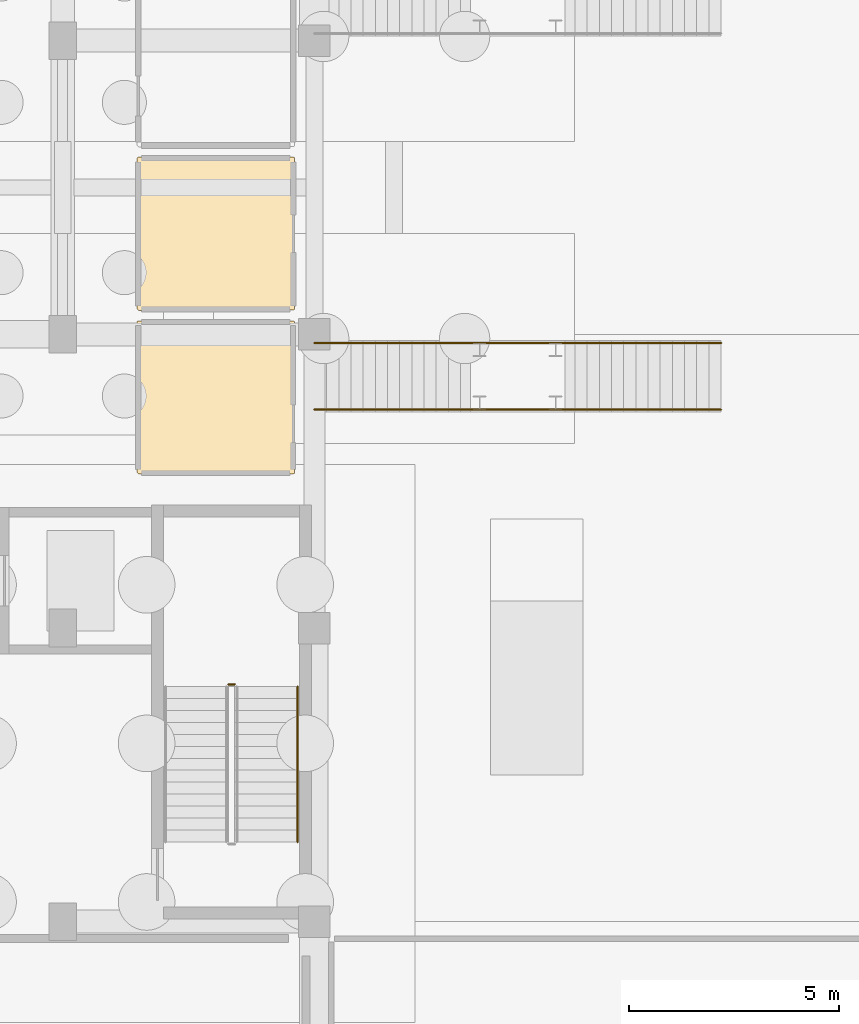
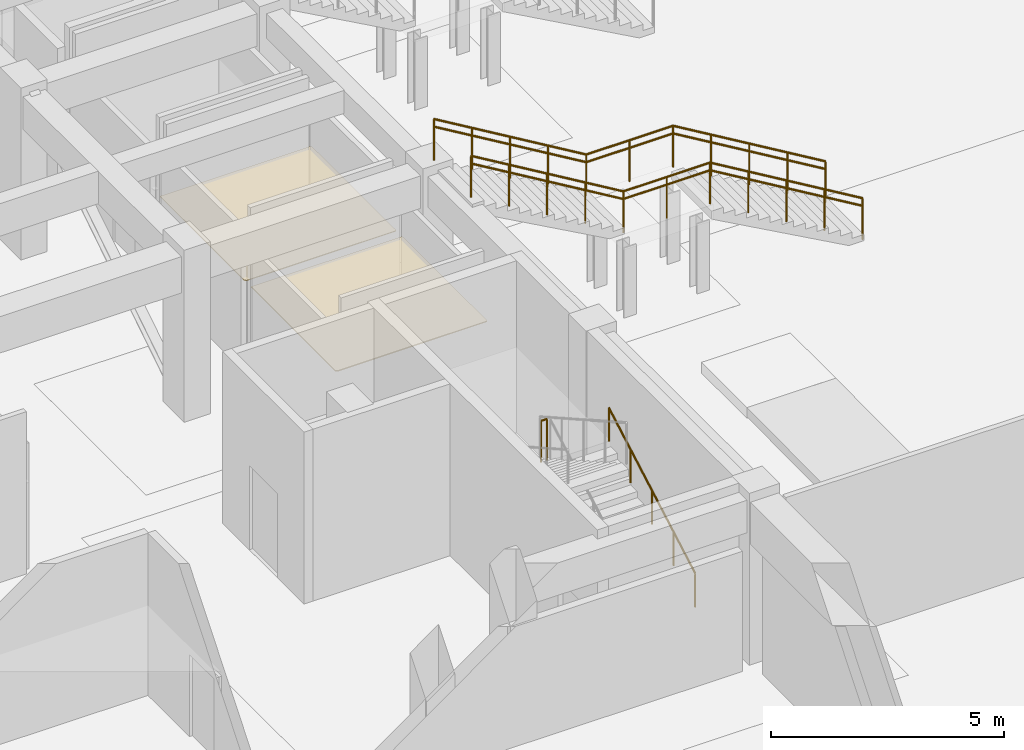
# One storey, part 80 of 84: 6 railings, 2 coverings.
"""IFC4 building model written with IfcOpenShell, lengths in metres."""

from ifc_helpers import new_model, si_unit, direction, frame, origin, origin_2d, place, context, subcontext, project, spatial, polyline, circle, outline, extrude, material, layer, layer_set, type_object, element, save


model = new_model("IFC4")

# Units and contexts
model_context = context("Model", 3, precision=1e-05, world=origin(), true_north=direction((0.0, 1.0)))
body_context = subcontext(model_context, "Body", "Model", "MODEL_VIEW")
ifc_project = project(units=[si_unit("LENGTHUNIT", "METRE"), si_unit("AREAUNIT", "SQUARE_METRE"), si_unit("VOLUMEUNIT", "CUBIC_METRE"), si_unit("PLANEANGLEUNIT", "RADIAN"), si_unit("MASSUNIT", "GRAM", prefix="KILO")], contexts=[model_context])

# Site, building, storey
site_placement = place(None, origin())
site = spatial("IfcSite", under=ifc_project, at=site_placement, CompositionType="ELEMENT")
building_placement = place(site_placement, origin())
building = spatial("IfcBuilding", under=site, at=building_placement, Name="Larkveld Mobility Hub", CompositionType="ELEMENT")
storey_placement = place(building_placement, origin())
storey = spatial("IfcBuildingStorey", under=building, at=storey_placement, Name="L00", CompositionType="ELEMENT", Elevation=0.0)

# Coverings
ifc_material_1 = material(Name="Perforated mineral-fibre acoustic ceiling", Category="masonry")
ifc_layer_1 = layer(ifc_material_1, 0.02001953125, Name="Perforated mineral-fibre acoustic ceiling", Category="masonry")
ifc_layer_set_1 = layer_set([ifc_layer_1], Name="Perforated mineral-fibre acoustic ceiling")
covering_type_1 = type_object("IfcCoveringType", Name="CV-CLG-020", PredefinedType="CEILING", material=ifc_layer_set_1)
covering_1_placement = place(storey_placement, frame((0.0, 0.0, 2.330078125)))
element("IfcCovering", 1, at=covering_1_placement, inside=storey, type_object=covering_type_1, Name="Female Public Toilet Acoustic Ceiling 002", PredefinedType="CEILING", context=body_context, shape_type="SweptSolid", body=[
    extrude(outline(polyline([(147.820068359375, 42.570068359375), (147.81689453125, 42.570068359375), (147.81396484375, 42.571044921875), (147.81103515625, 42.571044921875), (147.80908203125, 42.572021484375), (147.805908203125, 42.573974609375), (147.802978515625, 42.574951171875), (147.801025390625, 42.576904296875), (147.799072265625, 42.5791015625), (147.779052734375, 42.59912109375), (147.777099609375, 42.60107421875), (147.77490234375, 42.60302734375), (147.77392578125, 42.60595703125), (147.77197265625, 42.60888671875), (147.77099609375, 42.611083984375), (147.77099609375, 42.614013671875), (147.77001953125, 42.616943359375), (147.77001953125, 42.6201171875), (147.77587890625, 46.194091796875), (147.77587890625, 46.197021484375), (147.77587890625, 46.199951171875), (147.777099609375, 46.202880859375), (147.778076171875, 46.2060546875), (147.779052734375, 46.2080078125), (147.781005859375, 46.2109375), (147.782958984375, 46.212890625), (147.784912109375, 46.215087890625), (147.787109375, 46.217041015625), (147.7890625, 46.218994140625), (147.7919921875, 46.220947265625), (147.7939453125, 46.221923828125), (147.797119140625, 46.222900390625), (147.800048828125, 46.22412109375), (147.802978515625, 46.22412109375), (147.805908203125, 46.22412109375), (151.493896484375, 46.22412109375), (151.4970703125, 46.22412109375), (151.5, 46.22412109375), (151.5029296875, 46.222900390625), (151.506103515625, 46.221923828125), (151.508056640625, 46.220947265625), (151.510986328125, 46.218994140625), (151.512939453125, 46.217041015625), (151.514892578125, 46.215087890625), (151.51708984375, 46.212890625), (151.51904296875, 46.2109375), (151.52099609375, 46.2080078125), (151.52197265625, 46.2060546875), (151.52294921875, 46.202880859375), (151.52392578125, 46.199951171875), (151.52392578125, 46.197021484375), (151.52392578125, 46.194091796875), (151.52392578125, 42.60595703125), (151.52392578125, 42.60302734375), (151.52392578125, 42.60009765625), (151.52294921875, 42.596923828125), (151.52197265625, 42.593994140625), (151.52099609375, 42.592041015625), (151.51904296875, 42.589111328125), (151.51708984375, 42.5869140625), (151.514892578125, 42.5849609375), (151.512939453125, 42.5830078125), (151.510986328125, 42.5810546875), (151.508056640625, 42.5791015625), (151.506103515625, 42.577880859375), (151.5029296875, 42.576904296875), (151.5, 42.575927734375), (151.4970703125, 42.575927734375), (151.493896484375, 42.575927734375), (147.820068359375, 42.570068359375)])), origin(), (0.0, 0.0, 1.0), 0.02001953125),
])
ifc_material_2 = material(Name="Moisture-resistant gypsum board ceiling", Category="masonry")
ifc_layer_2 = layer(ifc_material_2, 0.02490234375, Name="Moisture-resistant gypsum board ceiling", Category="masonry")
ifc_layer_set_2 = layer_set([ifc_layer_2], Name="Moisture-resistant gypsum board ceiling")
covering_type_2 = type_object("IfcCoveringType", Name="CV-CLG-025", PredefinedType="CEILING", material=ifc_layer_set_2)
covering_2_placement = place(storey_placement, frame((0.0, 0.0, 2.324951171875)))
element("IfcCovering", 2, at=covering_2_placement, inside=storey, type_object=covering_type_2, Name="Male Public Toilet Acoustic Ceiling 001", PredefinedType="CEILING", context=body_context, shape_type="SweptSolid", body=[
    extrude(outline(polyline([(147.820068359375, 38.669921875), (147.81689453125, 38.669921875), (147.81396484375, 38.6708984375), (147.81103515625, 38.6708984375), (147.80908203125, 38.672119140625), (147.805908203125, 38.674072265625), (147.802978515625, 38.675048828125), (147.801025390625, 38.677001953125), (147.799072265625, 38.678955078125), (147.779052734375, 38.698974609375), (147.777099609375, 38.700927734375), (147.77490234375, 38.702880859375), (147.77392578125, 38.7060546875), (147.77197265625, 38.708984375), (147.77099609375, 38.7109375), (147.77099609375, 38.714111328125), (147.77001953125, 38.717041015625), (147.77001953125, 38.719970703125), (147.77587890625, 42.2939453125), (147.77587890625, 42.297119140625), (147.77587890625, 42.300048828125), (147.777099609375, 42.302978515625), (147.778076171875, 42.305908203125), (147.779052734375, 42.30810546875), (147.781005859375, 42.31103515625), (147.782958984375, 42.31298828125), (147.784912109375, 42.31494140625), (147.787109375, 42.31689453125), (147.7890625, 42.319091796875), (147.7919921875, 42.321044921875), (147.7939453125, 42.322021484375), (147.797119140625, 42.322998046875), (147.800048828125, 42.323974609375), (147.802978515625, 42.323974609375), (147.805908203125, 42.323974609375), (151.493896484375, 42.323974609375), (151.4970703125, 42.323974609375), (151.5, 42.323974609375), (151.5029296875, 42.322998046875), (151.506103515625, 42.322021484375), (151.508056640625, 42.321044921875), (151.510986328125, 42.319091796875), (151.512939453125, 42.31689453125), (151.514892578125, 42.31494140625), (151.51708984375, 42.31298828125), (151.51904296875, 42.31103515625), (151.52099609375, 42.30810546875), (151.52197265625, 42.305908203125), (151.52294921875, 42.302978515625), (151.52392578125, 42.300048828125), (151.52392578125, 42.297119140625), (151.52392578125, 42.2939453125), (151.52392578125, 38.7060546875), (151.52392578125, 38.702880859375), (151.52392578125, 38.699951171875), (151.52294921875, 38.697021484375), (151.52197265625, 38.694091796875), (151.52099609375, 38.69189453125), (151.51904296875, 38.68896484375), (151.51708984375, 38.68701171875), (151.514892578125, 38.68505859375), (151.512939453125, 38.68310546875), (151.510986328125, 38.680908203125), (151.508056640625, 38.678955078125), (151.506103515625, 38.677978515625), (151.5029296875, 38.677001953125), (151.5, 38.676025390625), (151.4970703125, 38.676025390625), (151.493896484375, 38.676025390625), (147.820068359375, 38.669921875)])), origin(), (0.0, 0.0, 1.0), 0.025146484375),
])

# Railings
ifc_material_3 = material(Name="Galvanized Steel S355JR balustrade", Category="steel")
railing_type_1 = type_object("IfcRailingType", Name="RL-GRD-1100", PredefinedType="GUARDRAIL", material=ifc_material_3)
railing_1_placement = place(storey_placement, frame((150.10009765625, 33.655029296875, 2.25)))
element("IfcRailing", 3, at=railing_1_placement, inside=storey, type_object=railing_type_1, Name="L00 ST1 stair guard 2", PredefinedType="GUARDRAIL", context=body_context, shape_type="SweptSolid", body=[
    extrude(circle(Radius=0.02392578125, at=origin_2d()), frame((0.0, 0.0, 1.076171875), z_axis=(-1.0, 0.0, 0.0), x_axis=(0.0, -1.0, 0.0)), (0.0, 0.0, 1.0), 0.150146484375),
    extrude(circle(Radius=0.02099609375, at=origin_2d()), origin(), (0.0, 0.0, 1.0), 1.052001953125),
    extrude(circle(Radius=0.02099609375, at=origin_2d()), frame((-0.150146484375, 0.0, 0.0)), (0.0, 0.0, 1.0), 1.052001953125),
])
railing_2_placement = place(storey_placement, frame((161.68994140625, 41.794921875, 0.0)))
element("IfcRailing", 4, at=railing_2_placement, inside=storey, type_object=railing_type_1, Name="South Concourse Mezzanine Straight Stair FS1 Guard L", PredefinedType="GUARDRAIL", context=body_context, shape_type="SweptSolid", body=[
    extrude(circle(Radius=0.02392578125, at=origin_2d()), frame((0.0, 0.0, 1.076171875), z_axis=(-0.858697585051, 0.0, 0.512482641098), x_axis=(0.0, -1.0, 0.0)), (0.0, 0.0, 1.0), 4.390380859375),
    extrude(circle(Radius=0.02392578125, at=origin_2d()), frame((-3.77001953125, 0.0, 3.326171875), z_axis=(-1.0, 0.0, 0.0), x_axis=(0.0, -1.0, 0.0)), (0.0, 0.0, 1.0), 2.14990234375),
    extrude(circle(Radius=0.02392578125, at=origin_2d()), frame((-5.919921875, 0.0, 3.326171875), z_axis=(-0.858697585051, 0.0, 0.512482641098), x_axis=(0.0, -1.0, 0.0)), (0.0, 0.0, 1.0), 4.390380859375),
    extrude(circle(Radius=0.02099609375, at=origin_2d()), origin(), (0.0, 0.0, 1.0), 1.052001953125),
    extrude(circle(Radius=0.02099609375, at=origin_2d()), frame((-0.9423828125, 0.0, 0.5625)), (0.0, 0.0, 1.0), 1.052001953125),
    extrude(circle(Radius=0.02099609375, at=origin_2d()), frame((-1.885009765625, 0.0, 1.125)), (0.0, 0.0, 1.0), 1.052001953125),
    extrude(circle(Radius=0.02099609375, at=origin_2d()), frame((-2.82763671875, 0.0, 1.6875)), (0.0, 0.0, 1.0), 1.052001953125),
    extrude(circle(Radius=0.02099609375, at=origin_2d()), frame((-3.77001953125, 0.0, 2.25)), (0.0, 0.0, 1.0), 1.052001953125),
    extrude(circle(Radius=0.02099609375, at=origin_2d()), frame((-4.844970703125, 0.0, 2.25)), (0.0, 0.0, 1.0), 1.052001953125),
    extrude(circle(Radius=0.02099609375, at=origin_2d()), frame((-5.919921875, 0.0, 2.25)), (0.0, 0.0, 1.0), 1.052001953125),
    extrude(circle(Radius=0.02099609375, at=origin_2d()), frame((-6.8623046875, 0.0, 2.8125)), (0.0, 0.0, 1.0), 1.052001953125),
    extrude(circle(Radius=0.02099609375, at=origin_2d()), frame((-7.804931640625, 0.0, 3.375)), (0.0, 0.0, 1.0), 1.052001953125),
    extrude(circle(Radius=0.02099609375, at=origin_2d()), frame((-8.74755859375, 0.0, 3.9375)), (0.0, 0.0, 1.0), 1.052001953125),
    extrude(circle(Radius=0.02099609375, at=origin_2d()), frame((-9.68994140625, 0.0, 4.5)), (0.0, 0.0, 1.0), 1.052001953125),
])
railing_3_placement = place(storey_placement, frame((161.68994140625, 40.205078125, 0.0)))
element("IfcRailing", 5, at=railing_3_placement, inside=storey, type_object=railing_type_1, Name="South Concourse Mezzanine Straight Stair FS1 Guard R", PredefinedType="GUARDRAIL", context=body_context, shape_type="SweptSolid", body=[
    extrude(circle(Radius=0.02392578125, at=origin_2d()), frame((0.0, 0.0, 1.076171875), z_axis=(-0.858697585051, 0.0, 0.512482641098), x_axis=(0.0, -1.0, 0.0)), (0.0, 0.0, 1.0), 4.390380859375),
    extrude(circle(Radius=0.02392578125, at=origin_2d()), frame((-3.77001953125, 0.0, 3.326171875), z_axis=(-1.0, 0.0, 0.0), x_axis=(0.0, -1.0, 0.0)), (0.0, 0.0, 1.0), 2.14990234375),
    extrude(circle(Radius=0.02392578125, at=origin_2d()), frame((-5.919921875, 0.0, 3.326171875), z_axis=(-0.858697585051, 0.0, 0.512482641098), x_axis=(0.0, -1.0, 0.0)), (0.0, 0.0, 1.0), 4.390380859375),
    extrude(circle(Radius=0.02099609375, at=origin_2d()), origin(), (0.0, 0.0, 1.0), 1.052001953125),
    extrude(circle(Radius=0.02099609375, at=origin_2d()), frame((-0.9423828125, 0.0, 0.5625)), (0.0, 0.0, 1.0), 1.052001953125),
    extrude(circle(Radius=0.02099609375, at=origin_2d()), frame((-1.885009765625, 0.0, 1.125)), (0.0, 0.0, 1.0), 1.052001953125),
    extrude(circle(Radius=0.02099609375, at=origin_2d()), frame((-2.82763671875, 0.0, 1.6875)), (0.0, 0.0, 1.0), 1.052001953125),
    extrude(circle(Radius=0.02099609375, at=origin_2d()), frame((-3.77001953125, 0.0, 2.25)), (0.0, 0.0, 1.0), 1.052001953125),
    extrude(circle(Radius=0.02099609375, at=origin_2d()), frame((-4.844970703125, 0.0, 2.25)), (0.0, 0.0, 1.0), 1.052001953125),
    extrude(circle(Radius=0.02099609375, at=origin_2d()), frame((-5.919921875, 0.0, 2.25)), (0.0, 0.0, 1.0), 1.052001953125),
    extrude(circle(Radius=0.02099609375, at=origin_2d()), frame((-6.8623046875, 0.0, 2.8125)), (0.0, 0.0, 1.0), 1.052001953125),
    extrude(circle(Radius=0.02099609375, at=origin_2d()), frame((-7.804931640625, 0.0, 3.375)), (0.0, 0.0, 1.0), 1.052001953125),
    extrude(circle(Radius=0.02099609375, at=origin_2d()), frame((-8.74755859375, 0.0, 3.9375)), (0.0, 0.0, 1.0), 1.052001953125),
    extrude(circle(Radius=0.02099609375, at=origin_2d()), frame((-9.68994140625, 0.0, 4.5)), (0.0, 0.0, 1.0), 1.052001953125),
])
ifc_material_4 = material(Name="Brushed Steel S355JR tubular handrail", Category="steel")
railing_type_2 = type_object("IfcRailingType", Name="RL-HND-0900", PredefinedType="HANDRAIL", material=ifc_material_4)
railing_4_placement = place(storey_placement, frame((151.60009765625, 29.89990234375, 0.16064453125)))
element("IfcRailing", 6, at=railing_4_placement, inside=storey, type_object=railing_type_2, Name="L00 ST1 stair handrail 1", PredefinedType="HANDRAIL", context=body_context, shape_type="SweptSolid", body=[
    extrude(circle(Radius=0.02392578125, at=origin_2d()), frame((0.0, 0.0, 0.8759765625), z_axis=(0.0, 0.871047735535, 0.491198373795), x_axis=(-1.0, 0.0, 0.0)), (0.0, 0.0, 1.0), 4.253662109375),
    extrude(circle(Radius=0.02099609375, at=origin_2d()), origin(), (0.0, 0.0, 1.0), 0.851806640625),
    extrude(circle(Radius=0.02099609375, at=origin_2d()), frame((0.0, 0.92626953125, 0.5224609375)), (0.0, 0.0, 1.0), 0.851806640625),
    extrude(circle(Radius=0.02099609375, at=origin_2d()), frame((0.0, 1.8525390625, 1.044677734375)), (0.0, 0.0, 1.0), 0.851806640625),
    extrude(circle(Radius=0.02099609375, at=origin_2d()), frame((0.0, 2.77880859375, 1.56689453125)), (0.0, 0.0, 1.0), 0.851806640625),
    extrude(circle(Radius=0.02099609375, at=origin_2d()), frame((0.0, 3.705078125, 2.08935546875)), (0.0, 0.0, 1.0), 0.851806640625),
])
railing_5_placement = place(storey_placement, frame((161.68994140625, 41.794921875, 0.0)))
element("IfcRailing", 7, at=railing_5_placement, inside=storey, type_object=railing_type_2, Name="South Concourse Mezzanine Straight Stair FS1 Handrail L", PredefinedType="HANDRAIL", context=body_context, shape_type="SweptSolid", body=[
    extrude(circle(Radius=0.02392578125, at=origin_2d()), frame((0.0, 0.0, 0.8759765625), z_axis=(-0.858697585051, 0.0, 0.512482641098), x_axis=(0.0, -1.0, 0.0)), (0.0, 0.0, 1.0), 4.390380859375),
    extrude(circle(Radius=0.02392578125, at=origin_2d()), frame((-3.77001953125, 0.0, 3.1259765625), z_axis=(-1.0, 0.0, 0.0), x_axis=(0.0, -1.0, 0.0)), (0.0, 0.0, 1.0), 2.14990234375),
    extrude(circle(Radius=0.02392578125, at=origin_2d()), frame((-5.919921875, 0.0, 3.1259765625), z_axis=(-0.858697585051, 0.0, 0.512482641098), x_axis=(0.0, -1.0, 0.0)), (0.0, 0.0, 1.0), 4.390380859375),
    extrude(circle(Radius=0.02099609375, at=origin_2d()), origin(), (0.0, 0.0, 1.0), 0.851806640625),
    extrude(circle(Radius=0.02099609375, at=origin_2d()), frame((-0.9423828125, 0.0, 0.5625)), (0.0, 0.0, 1.0), 0.851806640625),
    extrude(circle(Radius=0.02099609375, at=origin_2d()), frame((-1.885009765625, 0.0, 1.125)), (0.0, 0.0, 1.0), 0.851806640625),
    extrude(circle(Radius=0.02099609375, at=origin_2d()), frame((-2.82763671875, 0.0, 1.6875)), (0.0, 0.0, 1.0), 0.851806640625),
    extrude(circle(Radius=0.02099609375, at=origin_2d()), frame((-3.77001953125, 0.0, 2.25)), (0.0, 0.0, 1.0), 0.851806640625),
    extrude(circle(Radius=0.02099609375, at=origin_2d()), frame((-4.844970703125, 0.0, 2.25)), (0.0, 0.0, 1.0), 0.851806640625),
    extrude(circle(Radius=0.02099609375, at=origin_2d()), frame((-5.919921875, 0.0, 2.25)), (0.0, 0.0, 1.0), 0.851806640625),
    extrude(circle(Radius=0.02099609375, at=origin_2d()), frame((-6.8623046875, 0.0, 2.8125)), (0.0, 0.0, 1.0), 0.851806640625),
    extrude(circle(Radius=0.02099609375, at=origin_2d()), frame((-7.804931640625, 0.0, 3.375)), (0.0, 0.0, 1.0), 0.851806640625),
    extrude(circle(Radius=0.02099609375, at=origin_2d()), frame((-8.74755859375, 0.0, 3.9375)), (0.0, 0.0, 1.0), 0.851806640625),
    extrude(circle(Radius=0.02099609375, at=origin_2d()), frame((-9.68994140625, 0.0, 4.5)), (0.0, 0.0, 1.0), 0.851806640625),
])
railing_6_placement = place(storey_placement, frame((161.68994140625, 40.205078125, 0.0)))
element("IfcRailing", 8, at=railing_6_placement, inside=storey, type_object=railing_type_2, Name="South Concourse Mezzanine Straight Stair FS1 Handrail R", PredefinedType="HANDRAIL", context=body_context, shape_type="SweptSolid", body=[
    extrude(circle(Radius=0.02392578125, at=origin_2d()), frame((0.0, 0.0, 0.8759765625), z_axis=(-0.858697585051, 0.0, 0.512482641098), x_axis=(0.0, -1.0, 0.0)), (0.0, 0.0, 1.0), 4.390380859375),
    extrude(circle(Radius=0.02392578125, at=origin_2d()), frame((-3.77001953125, 0.0, 3.1259765625), z_axis=(-1.0, 0.0, 0.0), x_axis=(0.0, -1.0, 0.0)), (0.0, 0.0, 1.0), 2.14990234375),
    extrude(circle(Radius=0.02392578125, at=origin_2d()), frame((-5.919921875, 0.0, 3.1259765625), z_axis=(-0.858697585051, 0.0, 0.512482641098), x_axis=(0.0, -1.0, 0.0)), (0.0, 0.0, 1.0), 4.390380859375),
    extrude(circle(Radius=0.02099609375, at=origin_2d()), origin(), (0.0, 0.0, 1.0), 0.851806640625),
    extrude(circle(Radius=0.02099609375, at=origin_2d()), frame((-0.9423828125, 0.0, 0.5625)), (0.0, 0.0, 1.0), 0.851806640625),
    extrude(circle(Radius=0.02099609375, at=origin_2d()), frame((-1.885009765625, 0.0, 1.125)), (0.0, 0.0, 1.0), 0.851806640625),
    extrude(circle(Radius=0.02099609375, at=origin_2d()), frame((-2.82763671875, 0.0, 1.6875)), (0.0, 0.0, 1.0), 0.851806640625),
    extrude(circle(Radius=0.02099609375, at=origin_2d()), frame((-3.77001953125, 0.0, 2.25)), (0.0, 0.0, 1.0), 0.851806640625),
    extrude(circle(Radius=0.02099609375, at=origin_2d()), frame((-4.844970703125, 0.0, 2.25)), (0.0, 0.0, 1.0), 0.851806640625),
    extrude(circle(Radius=0.02099609375, at=origin_2d()), frame((-5.919921875, 0.0, 2.25)), (0.0, 0.0, 1.0), 0.851806640625),
    extrude(circle(Radius=0.02099609375, at=origin_2d()), frame((-6.8623046875, 0.0, 2.8125)), (0.0, 0.0, 1.0), 0.851806640625),
    extrude(circle(Radius=0.02099609375, at=origin_2d()), frame((-7.804931640625, 0.0, 3.375)), (0.0, 0.0, 1.0), 0.851806640625),
    extrude(circle(Radius=0.02099609375, at=origin_2d()), frame((-8.74755859375, 0.0, 3.9375)), (0.0, 0.0, 1.0), 0.851806640625),
    extrude(circle(Radius=0.02099609375, at=origin_2d()), frame((-9.68994140625, 0.0, 4.5)), (0.0, 0.0, 1.0), 0.851806640625),
])

save(model, "model.ifc")
